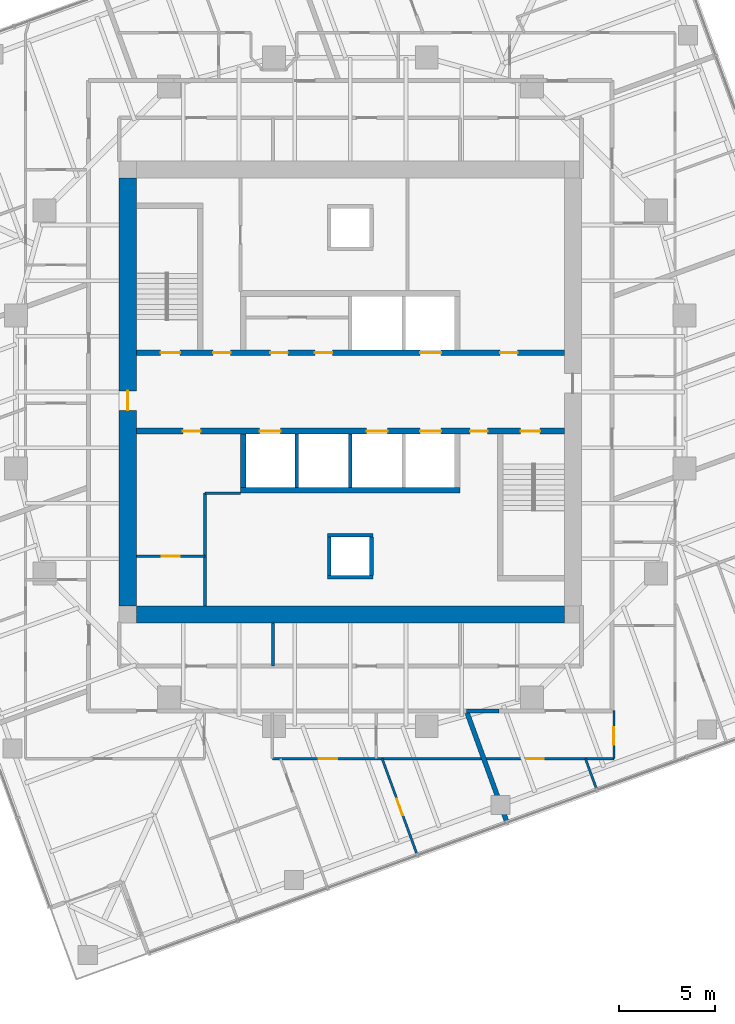
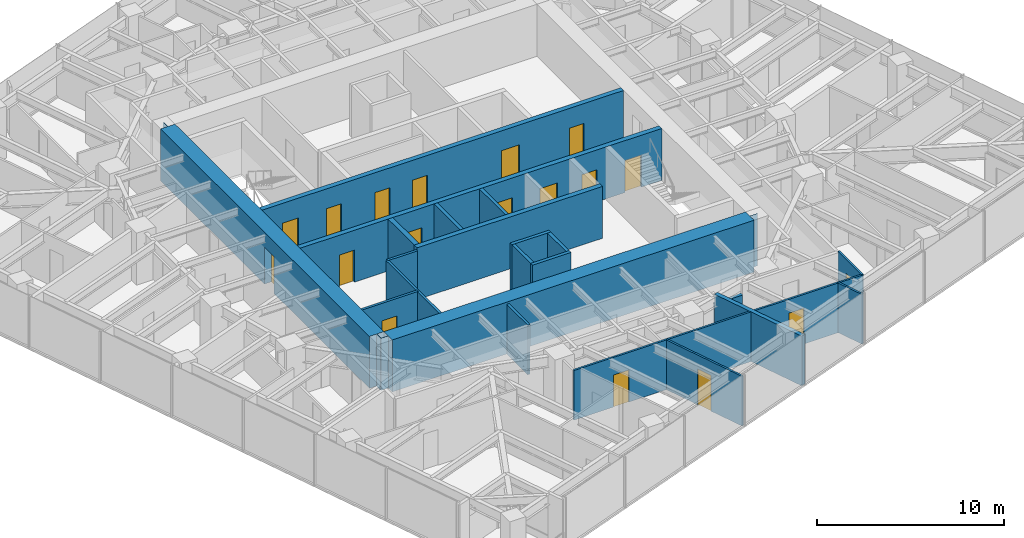
# One storey, part 8 of 13: 22 walls, 18 doors, 18 openings.
"""IFC4 building model written with IfcOpenShell, lengths in metres."""

import ifcopenshell
import ifcopenshell.guid

model = None  # the IFC model being written
_history = None  # IfcOwnerHistory: only IFC2X3 demands one
_inside = {}  # id of a spatial element -> (the spatial element, [elements in it])
_under = {}  # id of a project, library or spatial element -> (it, [spatial elements below it])
_declared = {}  # id of a project -> (the project, [libraries it declares])
_typed = {}  # id of a type object -> (the type object, [elements of that type])
_made_of = {}  # id of a material, layer set ... -> (it, [elements and type objects made of it])


def new_model(schema):
    """Start an empty IFC model of exactly this schema.

    Asked for "IFC4X3", IfcOpenShell would pick the latest addendum, in which some entities
    have other attributes; the version numbers below select the first issue.
    IFC2X3 requires an IfcOwnerHistory on every rooted entity: one is made here for all.
    """
    global model, _history
    if schema == "IFC4X3":
        model = ifcopenshell.file(schema_version=(4, 3, 0, 0))
    else:
        model = ifcopenshell.file(schema=schema)
    _inside.clear()
    _under.clear()
    _declared.clear()
    _typed.clear()
    _made_of.clear()
    _history = None
    if model.schema == "IFC2X3":
        org = make("IfcOrganization", Name="unknown")
        user = make(
            "IfcPersonAndOrganization",
            ThePerson=make("IfcPerson", FamilyName="unknown"),
            TheOrganization=org,
        )
        app = make(
            "IfcApplication",
            ApplicationDeveloper=org,
            Version="unknown",
            ApplicationFullName="unknown",
            ApplicationIdentifier="unknown",
        )
        _history = make(
            "IfcOwnerHistory",
            OwningUser=user,
            OwningApplication=app,
            ChangeAction="ADDED",
            CreationDate=0,
        )
    return model


def make(cls, **values):
    """One entity of the class cls with the attributes given. An attribute that is None is left unset."""
    return model.create_entity(
        cls, **{name: value for name, value in values.items() if value is not None}
    )


def rooted(cls, **values):
    """An entity with a GlobalId (a new one), such as an element, a storey or a relation."""
    return make(cls, GlobalId=ifcopenshell.guid.new(), OwnerHistory=_history, **values)


def si_unit(unit_type, name, prefix=None):
    """IfcSIUnit, for example si_unit("LENGTHUNIT", "METRE", prefix="MILLI")."""
    return make("IfcSIUnit", UnitType=unit_type, Prefix=prefix, Name=name)


def assignment(units):
    """IfcUnitAssignment: the units of a project."""
    return None if units is None else make("IfcUnitAssignment", Units=units)


def point(xyz):
    """IfcCartesianPoint."""
    return None if xyz is None else make("IfcCartesianPoint", Coordinates=xyz)


def direction(xyz):
    """IfcDirection."""
    return None if xyz is None else make("IfcDirection", DirectionRatios=xyz)


def frame(location, z_axis=None, x_axis=None):
    """IfcAxis2Placement3D, a coordinate frame: its origin and axes. An axis left out is left unset."""
    return make(
        "IfcAxis2Placement3D",
        Location=point(location),
        Axis=direction(z_axis),
        RefDirection=direction(x_axis),
    )


def frame_2d(location, x_axis=None):
    """IfcAxis2Placement2D, a coordinate frame in the plane: its origin and x axis."""
    return make(
        "IfcAxis2Placement2D", Location=point(location), RefDirection=direction(x_axis)
    )


def origin():
    """The frame at (0, 0, 0) with its axes left unset."""
    return frame((0.0, 0.0, 0.0))


def place(relative_to, where):
    """IfcLocalPlacement: puts the frame where relative to a parent placement (None: the world)."""
    return make(
        "IfcLocalPlacement", PlacementRelTo=relative_to, RelativePlacement=where
    )


def context(
    kind, dimensions, precision=None, world=None, true_north=None, identifier=None
):
    """IfcGeometricRepresentationContext, for example the 3D "Model" context."""
    return make(
        "IfcGeometricRepresentationContext",
        ContextIdentifier=identifier,
        ContextType=kind,
        CoordinateSpaceDimension=dimensions,
        Precision=precision,
        WorldCoordinateSystem=world,
        TrueNorth=true_north,
    )


def subcontext(parent, identifier, kind, view, scale=None):
    """IfcGeometricRepresentationSubContext, for example "Body" below "Model"."""
    return make(
        "IfcGeometricRepresentationSubContext",
        ContextIdentifier=identifier,
        ContextType=kind,
        ParentContext=parent,
        TargetScale=scale,
        TargetView=view,
    )


def project(units=None, contexts=None):
    """IfcProject with its units and contexts."""
    return rooted(
        "IfcProject",
        Name="project",
        RepresentationContexts=contexts,
        UnitsInContext=assignment(units),
    )


def spatial(cls, under=None, at=None, **own):
    """A site, building, storey or space (cls), placed at a placement, below another one or the project."""
    s = rooted(cls, ObjectPlacement=at, **own)
    if under is not None:
        _under.setdefault(under.id(), (under, []))[1].append(s)
    return s


def polyline(points):
    """IfcPolyline through the points."""
    return make("IfcPolyline", Points=[point(p) for p in points])


def profile(cls, at=None, kind="AREA", **sizes):
    """A parametric profile (cls). Its sizes go by their IFC names, for example OverallWidth=200.0."""
    return make(cls, ProfileType=kind, Position=at, **sizes)


def rectangle(**sizes):
    """IfcRectangleProfileDef."""
    return profile("IfcRectangleProfileDef", **sizes)


def outline(outer, holes=None, kind="AREA"):
    """IfcArbitraryClosedProfileDef: a profile drawn as a closed curve; with holes, ...WithVoids."""
    if holes is None:
        return make("IfcArbitraryClosedProfileDef", ProfileType=kind, OuterCurve=outer)
    return make(
        "IfcArbitraryProfileDefWithVoids",
        ProfileType=kind,
        OuterCurve=outer,
        InnerCurves=holes,
    )


def extrude(swept, where, along, depth):
    """IfcExtrudedAreaSolid: the profile swept, set in the frame where, extruded along a direction by depth."""
    return make(
        "IfcExtrudedAreaSolid",
        SweptArea=swept,
        Position=where,
        ExtrudedDirection=direction(along),
        Depth=depth,
    )


def shape(context_of_items, identifier, shape_type, items):
    """IfcShapeRepresentation: the items that make up one representation, for example the "Body"."""
    return make(
        "IfcShapeRepresentation",
        ContextOfItems=context_of_items,
        RepresentationIdentifier=identifier,
        RepresentationType=shape_type,
        Items=items,
    )


def material(Name=None, Category=None):
    """IfcMaterial."""
    return make("IfcMaterial", Name=Name, Category=Category)


def layer(
    of_material, thickness, ventilated=None, Name=None, Category=None, Priority=None
):
    """IfcMaterialLayer: one layer of a wall or slab, of a material (None: an air gap)."""
    return make(
        "IfcMaterialLayer",
        Material=of_material,
        LayerThickness=thickness,
        IsVentilated=ventilated,
        Name=Name,
        Category=Category,
        Priority=Priority,
    )


def layer_set(layers, Name=None):
    """IfcMaterialLayerSet."""
    return make("IfcMaterialLayerSet", MaterialLayers=layers, LayerSetName=Name)


def made_of(thing, what):
    """Note that an element or type object is made of a material, layer set ...; save() writes the relation."""
    if what is not None:
        _made_of.setdefault(what.id(), (what, []))[1].append(thing)
    return thing


def type_object(cls, material=None, **own):
    """A type object (cls), such as IfcWallType, which elements share."""
    return made_of(rooted(cls, **own), material)


def element(
    cls,
    number,
    at=None,
    inside=None,
    cuts=None,
    type_object=None,
    material=None,
    context=None,
    identifier="Body",
    shape_type=None,
    held_by="IfcProductDefinitionShape",
    body=None,
    shapes=None,
    **own,
):
    """One element of the class cls, such as IfcWall. Its Tag is "e" and its number.

    at: its placement. inside: the storey or other place that contains it. cuts: it is an
    opening in that element (IfcRelVoidsElement). A single representation is given by context,
    identifier, shape_type and body (its items); several are given by shapes. held_by: the class
    of the entity that holds the representations. save() writes the other relations.
    """
    e = rooted(cls, Tag="e%d" % number, ObjectPlacement=at, **own)
    if body is not None:
        shapes = [shape(context, identifier, shape_type, body)]
    if shapes is not None:
        e.Representation = make(held_by, Representations=shapes)
    if inside is not None:
        _inside.setdefault(inside.id(), (inside, []))[1].append(e)
    if cuts is not None:
        rooted(
            "IfcRelVoidsElement", RelatingBuildingElement=cuts, RelatedOpeningElement=e
        )
    if type_object is not None:
        _typed.setdefault(type_object.id(), (type_object, []))[1].append(e)
    return made_of(e, material)


def fill(opening, filler):
    """IfcRelFillsElement: the door or window that sits in an opening."""
    return rooted(
        "IfcRelFillsElement",
        RelatingOpeningElement=opening,
        RelatedBuildingElement=filler,
    )


def aggregate(whole, parts):
    """IfcRelAggregates: a whole, such as a stair, and the parts it consists of."""
    return rooted("IfcRelAggregates", RelatingObject=whole, RelatedObjects=parts)


def save(model, path):
    """Write the relations noted so far, then the file.

    IfcRelAggregates (storeys below a building ...), IfcRelContainedInSpatialStructure (elements
    in a storey), IfcRelDefinesByType, IfcRelAssociatesMaterial and IfcRelDeclares: one each for
    every whole, place, type object, material and project.
    """
    for whole, parts in _under.values():
        aggregate(whole, parts)
    for where, things in _inside.values():
        rooted(
            "IfcRelContainedInSpatialStructure",
            RelatedElements=things,
            RelatingStructure=where,
        )
    for kind, things in _typed.values():
        rooted("IfcRelDefinesByType", RelatedObjects=things, RelatingType=kind)
    for what, things in _made_of.values():
        rooted("IfcRelAssociatesMaterial", RelatedObjects=things, RelatingMaterial=what)
    for by, libraries in _declared.values():
        rooted("IfcRelDeclares", RelatingContext=by, RelatedDefinitions=libraries)
    model.write(path)


model = new_model("IFC4")

# Units and contexts
model_context = context("Model", 3, precision=1e-05, world=origin(), true_north=direction((0.0, 1.0)))
body_context = subcontext(model_context, "Body", "Model", "MODEL_VIEW")
ifc_project = project(units=[si_unit("LENGTHUNIT", "METRE"), si_unit("AREAUNIT", "SQUARE_METRE"), si_unit("VOLUMEUNIT", "CUBIC_METRE"), si_unit("PLANEANGLEUNIT", "RADIAN"), si_unit("MASSUNIT", "GRAM", prefix="KILO")], contexts=[model_context])

# Site, building, storey
site_placement = place(None, origin())
site = spatial("IfcSite", under=ifc_project, at=site_placement, CompositionType="ELEMENT")
building_placement = place(site_placement, origin())
building = spatial("IfcBuilding", under=site, at=building_placement, Name="Torsade Residences", CompositionType="ELEMENT")
storey_placement = place(building_placement, frame((0.0, 0.0, 150.60009765625)))
storey = spatial("IfcBuildingStorey", under=building, at=storey_placement, Name="L41", CompositionType="ELEMENT", Elevation=150.60009765625)

# Wall, openings, doors
ifc_material_1 = material(Name="Concrete 80 MPa", Category="concrete")
ifc_layer_1 = layer(ifc_material_1, 0.300048828125)
ifc_layer_set_1 = layer_set([ifc_layer_1], Name="Concrete 80 MPa")
wall_type_1 = type_object("IfcWallType", Name="CORE INTERNAL WALL 300", PredefinedType="SHEAR", material=ifc_layer_set_1)
wall_1_placement = place(storey_placement, frame((28.800048828125, 32.050048828125, 0.0), z_axis=(0.0, 0.0, 1.0), x_axis=(1.0, 0.0, 0.0)))
wall_1 = element("IfcWall", 1, at=wall_1_placement, inside=storey, type_object=wall_type_1, Name="Core wall LN L41", PredefinedType="SHEAR", context=body_context, shape_type="SweptSolid", body=[
    extrude(rectangle(XDim=22.39990234375, YDim=0.300048828125, at=frame_2d((11.199951171875, 0.0))), origin(), (0.0, 0.0, 1.0), 3.39990234375),
])
opening_1_placement = place(wall_1_placement, frame((19.0400390625, 0.0, 0.0)))
opening_1 = element("IfcOpeningElement", 2, at=opening_1_placement, cuts=wall_1, Name="Opening D06", PredefinedType="OPENING", context=body_context, shape_type="SweptSolid", body=[
    extrude(rectangle(XDim=0.919921875, YDim=2.10009765625, at=frame_2d((0.4599609375, 1.050048828125))), frame((0.0, 0.159912109375, 0.0), z_axis=(0.0, -1.0, 0.0), x_axis=(1.0, 0.0, 0.0)), (0.0, 0.0, 1.0), 0.320068359375),
])
opening_2_placement = place(wall_1_placement, frame((1.264892578125, 0.0, 0.0)))
opening_2 = element("IfcOpeningElement", 3, at=opening_2_placement, cuts=wall_1, Name="Opening D03", PredefinedType="OPENING", context=body_context, shape_type="SweptSolid", body=[
    extrude(rectangle(XDim=1.02001953125, YDim=2.10009765625, at=frame_2d((0.510009765625, 1.050048828125))), frame((0.0, 0.159912109375, 0.0), z_axis=(0.0, -1.0, 0.0), x_axis=(1.0, 0.0, 0.0)), (0.0, 0.0, 1.0), 0.320068359375),
])
opening_3_placement = place(wall_1_placement, frame((4.014892578125, 0.0, 0.0)))
opening_3 = element("IfcOpeningElement", 4, at=opening_3_placement, cuts=wall_1, Name="Opening D06", PredefinedType="OPENING", context=body_context, shape_type="SweptSolid", body=[
    extrude(rectangle(XDim=0.919921875, YDim=2.10009765625, at=frame_2d((0.4599609375, 1.050048828125))), frame((0.0, 0.159912109375, 0.0), z_axis=(0.0, -1.0, 0.0), x_axis=(1.0, 0.0, 0.0)), (0.0, 0.0, 1.0), 0.320068359375),
])
opening_4_placement = place(wall_1_placement, frame((7.014892578125, 0.0, 0.0)))
opening_4 = element("IfcOpeningElement", 5, at=opening_4_placement, cuts=wall_1, Name="Opening D06", PredefinedType="OPENING", context=body_context, shape_type="SweptSolid", body=[
    extrude(rectangle(XDim=0.919921875, YDim=2.10009765625, at=frame_2d((0.4599609375, 1.050048828125))), frame((0.0, 0.159912109375, 0.0), z_axis=(0.0, -1.0, 0.0), x_axis=(1.0, 0.0, 0.0)), (0.0, 0.0, 1.0), 0.320068359375),
])
opening_5_placement = place(wall_1_placement, frame((9.340087890625, 0.0, 0.0)))
opening_5 = element("IfcOpeningElement", 6, at=opening_5_placement, cuts=wall_1, Name="Opening D06", PredefinedType="OPENING", context=body_context, shape_type="SweptSolid", body=[
    extrude(rectangle(XDim=0.919921875, YDim=2.10009765625, at=frame_2d((0.4599609375, 1.050048828125))), frame((0.0, 0.159912109375, 0.0), z_axis=(0.0, -1.0, 0.0), x_axis=(1.0, 0.0, 0.0)), (0.0, 0.0, 1.0), 0.320068359375),
])
opening_6_placement = place(wall_1_placement, frame((14.85009765625, 0.0, 0.0)))
opening_6 = element("IfcOpeningElement", 7, at=opening_6_placement, cuts=wall_1, Name="Opening LD", PredefinedType="OPENING", context=body_context, shape_type="SweptSolid", body=[
    extrude(rectangle(XDim=1.10009765625, YDim=2.10009765625, at=frame_2d((0.550048828125, 1.050048828125))), frame((0.0, 0.159912109375, 0.0), z_axis=(0.0, -1.0, 0.0), x_axis=(1.0, 0.0, 0.0)), (0.0, 0.0, 1.0), 0.320068359375),
])
ifc_material_2 = material(Name="Steel-framed fire door", Category="steel")
door_type_1 = type_object("IfcDoorType", Name="FIRE DOOR 1020", OperationType="NOTDEFINED", PredefinedType="DOOR", material=ifc_material_2)
door_1_placement = place(opening_2_placement, origin())
door_1 = element("IfcDoor", 8, at=door_1_placement, inside=storey, type_object=door_type_1, Name="Exit door to fire-isolated stair ST1 L41", OperationType="SINGLE_SWING_RIGHT", OverallHeight=2.10009765625, OverallWidth=1.02001953125, PredefinedType="DOOR", context=body_context, shape_type="SweptSolid", body=[
    extrude(rectangle(XDim=1.02001953125, YDim=2.10009765625, at=frame_2d((0.510009765625, 1.050048828125))), frame((0.0, 0.02490234375, 0.0), z_axis=(0.0, -1.0, 0.0), x_axis=(1.0, 0.0, 0.0)), (0.0, 0.0, 1.0), 0.050048828125),
])
fill(opening_2, door_1)
ifc_material_3 = material(Name="Steel-framed fire door", Category="steel")
door_type_2 = type_object("IfcDoorType", Name="FIRE DOOR 920", OperationType="NOTDEFINED", PredefinedType="DOOR", material=ifc_material_3)
door_2_placement = place(opening_1_placement, origin())
door_2 = element("IfcDoor", 9, at=door_2_placement, inside=storey, type_object=door_type_2, Name="Door Lift lobby to Refuse room", OperationType="SINGLE_SWING_LEFT", OverallHeight=2.10009765625, OverallWidth=0.919921875, PredefinedType="DOOR", context=body_context, shape_type="SweptSolid", body=[
    extrude(rectangle(XDim=0.919921875, YDim=2.10009765625, at=frame_2d((0.4599609375, 1.050048828125))), frame((0.0, 0.02490234375, 0.0), z_axis=(0.0, -1.0, 0.0), x_axis=(1.0, 0.0, 0.0)), (0.0, 0.0, 1.0), 0.050048828125),
])
fill(opening_1, door_2)
door_3_placement = place(opening_3_placement, origin())
door_3 = element("IfcDoor", 10, at=door_3_placement, inside=storey, type_object=door_type_2, Name="Door Lift lobby to Meter store", OperationType="SINGLE_SWING_LEFT", OverallHeight=2.10009765625, OverallWidth=0.919921875, PredefinedType="DOOR", context=body_context, shape_type="SweptSolid", body=[
    extrude(rectangle(XDim=0.919921875, YDim=2.10009765625, at=frame_2d((0.4599609375, 1.050048828125))), frame((0.0, 0.02490234375, 0.0), z_axis=(0.0, -1.0, 0.0), x_axis=(1.0, 0.0, 0.0)), (0.0, 0.0, 1.0), 0.050048828125),
])
fill(opening_3, door_3)
door_4_placement = place(opening_4_placement, origin())
door_4 = element("IfcDoor", 11, at=door_4_placement, inside=storey, type_object=door_type_2, Name="Door Lift lobby to Linen store L41A", OperationType="SINGLE_SWING_RIGHT", OverallHeight=2.10009765625, OverallWidth=0.919921875, PredefinedType="DOOR", context=body_context, shape_type="SweptSolid", body=[
    extrude(rectangle(XDim=0.919921875, YDim=2.10009765625, at=frame_2d((0.4599609375, 1.050048828125))), frame((0.0, 0.02490234375, 0.0), z_axis=(0.0, -1.0, 0.0), x_axis=(1.0, 0.0, 0.0)), (0.0, 0.0, 1.0), 0.050048828125),
])
fill(opening_4, door_4)
door_5_placement = place(opening_5_placement, origin())
door_5 = element("IfcDoor", 12, at=door_5_placement, inside=storey, type_object=door_type_2, Name="Door Lift lobby to Linen store L41A", OperationType="SINGLE_SWING_RIGHT", OverallHeight=2.10009765625, OverallWidth=0.919921875, PredefinedType="DOOR", context=body_context, shape_type="SweptSolid", body=[
    extrude(rectangle(XDim=0.919921875, YDim=2.10009765625, at=frame_2d((0.4599609375, 1.050048828125))), frame((0.0, 0.02490234375, 0.0), z_axis=(0.0, -1.0, 0.0), x_axis=(1.0, 0.0, 0.0)), (0.0, 0.0, 1.0), 0.050048828125),
])
fill(opening_5, door_5)
ifc_material_4 = material(Name="Stainless steel lift landing door", Category="steel")
door_type_3 = type_object("IfcDoorType", Name="LIFT LANDING DOOR 1100", OperationType="SLIDING_TO_LEFT", PredefinedType="DOOR", material=ifc_material_4)
door_6_placement = place(opening_6_placement, origin())
door_6 = element("IfcDoor", 13, at=door_6_placement, inside=storey, type_object=door_type_3, Name="Lift FL1 landing door L41", OperationType="SLIDING_TO_LEFT", OverallHeight=2.10009765625, OverallWidth=1.10009765625, PredefinedType="DOOR", context=body_context, shape_type="SweptSolid", body=[
    extrude(rectangle(XDim=1.10009765625, YDim=2.10009765625, at=frame_2d((0.550048828125, 1.050048828125))), frame((0.0, 0.02490234375, 0.0), z_axis=(0.0, -1.0, 0.0), x_axis=(1.0, 0.0, 0.0)), (0.0, 0.0, 1.0), 0.050048828125),
])
fill(opening_6, door_6)

wall_2_placement = place(storey_placement, frame((51.199951171875, 27.949951171875, 0.0), z_axis=(0.0, 0.0, 1.0), x_axis=(-1.0, 0.0, 0.0)))
wall_2 = element("IfcWall", 14, at=wall_2_placement, inside=storey, type_object=wall_type_1, Name="Core wall LS L41", PredefinedType="SHEAR", context=body_context, shape_type="SweptSolid", body=[
    extrude(rectangle(XDim=22.39990234375, YDim=0.300048828125, at=frame_2d((11.199951171875, 0.0))), origin(), (0.0, 0.0, 1.0), 3.39990234375),
])
opening_7_placement = place(wall_2_placement, frame((19.0400390625, 0.0, 0.0)))
opening_7 = element("IfcOpeningElement", 15, at=opening_7_placement, cuts=wall_2, Name="Opening D06", PredefinedType="OPENING", context=body_context, shape_type="SweptSolid", body=[
    extrude(rectangle(XDim=0.919921875, YDim=2.10009765625, at=frame_2d((0.4599609375, 1.050048828125))), frame((0.0, 0.159912109375, 0.0), z_axis=(0.0, -1.0, 0.0), x_axis=(1.0, 0.0, 0.0)), (0.0, 0.0, 1.0), 0.320068359375),
])
opening_8_placement = place(wall_2_placement, frame((1.264892578125, 0.0, 0.0)))
opening_8 = element("IfcOpeningElement", 16, at=opening_8_placement, cuts=wall_2, Name="Opening D03", PredefinedType="OPENING", context=body_context, shape_type="SweptSolid", body=[
    extrude(rectangle(XDim=1.02001953125, YDim=2.10009765625, at=frame_2d((0.510009765625, 1.050048828125))), frame((0.0, 0.159912109375, 0.0), z_axis=(0.0, -1.0, 0.0), x_axis=(1.0, 0.0, 0.0)), (0.0, 0.0, 1.0), 0.320068359375),
])
opening_9_placement = place(wall_2_placement, frame((4.014892578125, 0.0, 0.0)))
opening_9 = element("IfcOpeningElement", 17, at=opening_9_placement, cuts=wall_2, Name="Opening D06", PredefinedType="OPENING", context=body_context, shape_type="SweptSolid", body=[
    extrude(rectangle(XDim=0.919921875, YDim=2.10009765625, at=frame_2d((0.4599609375, 1.050048828125))), frame((0.0, 0.159912109375, 0.0), z_axis=(0.0, -1.0, 0.0), x_axis=(1.0, 0.0, 0.0)), (0.0, 0.0, 1.0), 0.320068359375),
])
opening_10_placement = place(wall_2_placement, frame((6.449951171875, 0.0, 0.0)))
opening_10 = element("IfcOpeningElement", 18, at=opening_10_placement, cuts=wall_2, Name="Opening LD", PredefinedType="OPENING", context=body_context, shape_type="SweptSolid", body=[
    extrude(rectangle(XDim=1.10009765625, YDim=2.10009765625, at=frame_2d((0.550048828125, 1.050048828125))), frame((0.0, 0.159912109375, 0.0), z_axis=(0.0, -1.0, 0.0), x_axis=(1.0, 0.0, 0.0)), (0.0, 0.0, 1.0), 0.320068359375),
])
opening_11_placement = place(wall_2_placement, frame((9.25, 0.0, 0.0)))
opening_11 = element("IfcOpeningElement", 19, at=opening_11_placement, cuts=wall_2, Name="Opening LD", PredefinedType="OPENING", context=body_context, shape_type="SweptSolid", body=[
    extrude(rectangle(XDim=1.10009765625, YDim=2.10009765625, at=frame_2d((0.550048828125, 1.050048828125))), frame((0.0, 0.159912109375, 0.0), z_axis=(0.0, -1.0, 0.0), x_axis=(1.0, 0.0, 0.0)), (0.0, 0.0, 1.0), 0.320068359375),
])
opening_12_placement = place(wall_2_placement, frame((14.85009765625, 0.0, 0.0)))
opening_12 = element("IfcOpeningElement", 20, at=opening_12_placement, cuts=wall_2, Name="Opening LD", PredefinedType="OPENING", context=body_context, shape_type="SweptSolid", body=[
    extrude(rectangle(XDim=1.10009765625, YDim=2.10009765625, at=frame_2d((0.550048828125, 1.050048828125))), frame((0.0, 0.159912109375, 0.0), z_axis=(0.0, -1.0, 0.0), x_axis=(1.0, 0.0, 0.0)), (0.0, 0.0, 1.0), 0.320068359375),
])
door_7_placement = place(opening_8_placement, origin())
door_7 = element("IfcDoor", 21, at=door_7_placement, inside=storey, type_object=door_type_1, Name="Exit door to fire-isolated stair ST2 L41", OperationType="SINGLE_SWING_RIGHT", OverallHeight=2.10009765625, OverallWidth=1.02001953125, PredefinedType="DOOR", context=body_context, shape_type="SweptSolid", body=[
    extrude(rectangle(XDim=1.02001953125, YDim=2.10009765625, at=frame_2d((0.510009765625, 1.050048828125))), frame((0.0, 0.02490234375, 0.0), z_axis=(0.0, -1.0, 0.0), x_axis=(1.0, 0.0, 0.0)), (0.0, 0.0, 1.0), 0.050048828125),
])
fill(opening_8, door_7)
door_8_placement = place(opening_7_placement, origin())
door_8 = element("IfcDoor", 22, at=door_8_placement, inside=storey, type_object=door_type_2, Name="Door Lift lobby to Cleaner store", OperationType="SINGLE_SWING_LEFT", OverallHeight=2.10009765625, OverallWidth=0.919921875, PredefinedType="DOOR", context=body_context, shape_type="SweptSolid", body=[
    extrude(rectangle(XDim=0.919921875, YDim=2.10009765625, at=frame_2d((0.4599609375, 1.050048828125))), frame((0.0, 0.02490234375, 0.0), z_axis=(0.0, -1.0, 0.0), x_axis=(1.0, 0.0, 0.0)), (0.0, 0.0, 1.0), 0.050048828125),
])
fill(opening_7, door_8)
door_9_placement = place(opening_9_placement, origin())
door_9 = element("IfcDoor", 23, at=door_9_placement, inside=storey, type_object=door_type_2, Name="Door Lift lobby to Communications riser room", OperationType="SINGLE_SWING_RIGHT", OverallHeight=2.10009765625, OverallWidth=0.919921875, PredefinedType="DOOR", context=body_context, shape_type="SweptSolid", body=[
    extrude(rectangle(XDim=0.919921875, YDim=2.10009765625, at=frame_2d((0.4599609375, 1.050048828125))), frame((0.0, 0.02490234375, 0.0), z_axis=(0.0, -1.0, 0.0), x_axis=(1.0, 0.0, 0.0)), (0.0, 0.0, 1.0), 0.050048828125),
])
fill(opening_9, door_9)
door_10_placement = place(opening_10_placement, origin())
door_10 = element("IfcDoor", 24, at=door_10_placement, inside=storey, type_object=door_type_3, Name="Lift LB1 landing door L41", OperationType="SLIDING_TO_LEFT", OverallHeight=2.10009765625, OverallWidth=1.10009765625, PredefinedType="DOOR", context=body_context, shape_type="SweptSolid", body=[
    extrude(rectangle(XDim=1.10009765625, YDim=2.10009765625, at=frame_2d((0.550048828125, 1.050048828125))), frame((0.0, 0.02490234375, 0.0), z_axis=(0.0, -1.0, 0.0), x_axis=(1.0, 0.0, 0.0)), (0.0, 0.0, 1.0), 0.050048828125),
])
fill(opening_10, door_10)
door_11_placement = place(opening_11_placement, origin())
door_11 = element("IfcDoor", 25, at=door_11_placement, inside=storey, type_object=door_type_3, Name="Lift LB2 landing door L41", OperationType="SLIDING_TO_LEFT", OverallHeight=2.10009765625, OverallWidth=1.10009765625, PredefinedType="DOOR", context=body_context, shape_type="SweptSolid", body=[
    extrude(rectangle(XDim=1.10009765625, YDim=2.10009765625, at=frame_2d((0.550048828125, 1.050048828125))), frame((0.0, 0.02490234375, 0.0), z_axis=(0.0, -1.0, 0.0), x_axis=(1.0, 0.0, 0.0)), (0.0, 0.0, 1.0), 0.050048828125),
])
fill(opening_11, door_11)
door_12_placement = place(opening_12_placement, origin())
door_12 = element("IfcDoor", 26, at=door_12_placement, inside=storey, type_object=door_type_3, Name="Lift FL2 landing door L41", OperationType="SLIDING_TO_LEFT", OverallHeight=2.10009765625, OverallWidth=1.10009765625, PredefinedType="DOOR", context=body_context, shape_type="SweptSolid", body=[
    extrude(rectangle(XDim=1.10009765625, YDim=2.10009765625, at=frame_2d((0.550048828125, 1.050048828125))), frame((0.0, 0.02490234375, 0.0), z_axis=(0.0, -1.0, 0.0), x_axis=(1.0, 0.0, 0.0)), (0.0, 0.0, 1.0), 0.050048828125),
])
fill(opening_12, door_12)

# Walls
wall_3_placement = place(storey_placement, frame((45.75, 24.85009765625, 0.0), z_axis=(0.0, 0.0, 1.0), x_axis=(-1.0, 0.0, 0.0)))
element("IfcWall", 27, at=wall_3_placement, inside=storey, type_object=wall_type_1, Name="Core wall BS L41", PredefinedType="SHEAR", context=body_context, shape_type="SweptSolid", body=[
    extrude(rectangle(XDim=11.5, YDim=0.300048828125, at=frame_2d((5.75, 0.0))), origin(), (0.0, 0.0, 1.0), 3.39990234375),
])
wall_4_placement = place(storey_placement, frame((34.39990234375, 27.800048828125, 0.0), z_axis=(0.0, 0.0, 1.0), x_axis=(0.0, -1.0, 0.0)))
element("IfcWall", 28, at=wall_4_placement, inside=storey, type_object=wall_type_1, Name="Core wall DS4 L41", PredefinedType="SHEAR", context=body_context, shape_type="SweptSolid", body=[
    extrude(rectangle(XDim=2.800048828125, YDim=0.300048828125, at=frame_2d((1.39990234375, 0.0))), origin(), (0.0, 0.0, 1.0), 3.39990234375),
])
ifc_material_5 = material(Name="Concrete 80 MPa", Category="concrete")
ifc_layer_2 = layer(ifc_material_5, 0.89990234375)
ifc_layer_set_2 = layer_set([ifc_layer_2], Name="Concrete 80 MPa")
wall_type_2 = type_object("IfcWallType", Name="CORE WALL 900", PredefinedType="SHEAR", material=ifc_layer_set_2)
wall_5_placement = place(storey_placement, frame((51.199951171875, 18.35009765625, 0.0), z_axis=(0.0, 0.0, 1.0), x_axis=(-1.0, 0.0, 0.0)))
element("IfcWall", 29, at=wall_5_placement, inside=storey, type_object=wall_type_2, Name="Core wall S L41", PredefinedType="SHEAR", context=body_context, shape_type="SweptSolid", body=[
    extrude(outline(polyline([(0.0, -0.449951171875), (22.39990234375, -0.449951171875), (22.39990234375, -0.02490234375), (22.849853515625, -0.02490234375), (22.849853515625, 0.02490234375), (22.39990234375, 0.02490234375), (22.39990234375, 0.449951171875), (0.0, 0.449951171875), (0.0, 0.02490234375), (-0.449951171875, 0.02490234375), (-0.449951171875, -0.02490234375), (0.0, -0.02490234375), (0.0, -0.449951171875)])), origin(), (0.0, 0.0, 1.0), 3.39990234375),
])

# Wall, opening, door
wall_6_placement = place(storey_placement, frame((28.35009765625, 41.199951171875, 0.0), z_axis=(0.0, 0.0, 1.0), x_axis=(0.0, -1.0, 0.0)))
wall_6 = element("IfcWall", 30, at=wall_6_placement, inside=storey, type_object=wall_type_2, Name="Core wall W L41", PredefinedType="SHEAR", context=body_context, shape_type="SweptSolid", body=[
    extrude(outline(polyline([(0.0, -0.449951171875), (22.39990234375, -0.449951171875), (22.39990234375, -0.02490234375), (22.849853515625, -0.02490234375), (22.849853515625, 0.02490234375), (22.39990234375, 0.02490234375), (22.39990234375, 0.449951171875), (0.0, 0.449951171875), (0.0, 0.02490234375), (-0.449951171875, 0.02490234375), (-0.449951171875, -0.02490234375), (0.0, -0.02490234375), (0.0, -0.449951171875)])), origin(), (0.0, 0.0, 1.0), 3.39990234375),
])
opening_13_placement = place(wall_6_placement, frame((11.139892578125, 0.0, 0.0)))
opening_13 = element("IfcOpeningElement", 31, at=opening_13_placement, cuts=wall_6, Name="Opening D04", PredefinedType="OPENING", context=body_context, shape_type="SweptSolid", body=[
    extrude(rectangle(XDim=1.02001953125, YDim=2.39990234375, at=frame_2d((0.510009765625, 1.199951171875))), frame((0.0, 0.4599609375, 0.0), z_axis=(0.0, -1.0, 0.0), x_axis=(1.0, 0.0, 0.0)), (0.0, 0.0, 1.0), 0.919921875),
])
ifc_material_6 = material(Name="Steel-framed fire door", Category="steel")
door_type_4 = type_object("IfcDoorType", Name="LOBBY SMOKE DOOR 1020x2400", OperationType="NOTDEFINED", PredefinedType="DOOR", material=ifc_material_6)
door_13_placement = place(opening_13_placement, origin())
door_13 = element("IfcDoor", 32, at=door_13_placement, inside=storey, type_object=door_type_4, Name="Lift lobby door W L41", OperationType="SINGLE_SWING_RIGHT", OverallHeight=2.39990234375, OverallWidth=1.02001953125, PredefinedType="DOOR", context=body_context, shape_type="SweptSolid", body=[
    extrude(rectangle(XDim=1.02001953125, YDim=2.39990234375, at=frame_2d((0.510009765625, 1.199951171875))), frame((0.0, 0.02490234375, 0.0), z_axis=(0.0, -1.0, 0.0), x_axis=(1.0, 0.0, 0.0)), (0.0, 0.0, 1.0), 0.050048828125),
])
fill(opening_13, door_13)

# Walls
ifc_material_7 = material(Name="Plasterboard on steel stud", Category="steel")
ifc_layer_3 = layer(ifc_material_7, 0.199951171875)
ifc_layer_set_3 = layer_set([ifc_layer_3], Name="Plasterboard on steel stud")
wall_type_3 = type_object("IfcWallType", Name="CORRIDOR WALL 200", PredefinedType="PARTITIONING", material=ifc_layer_set_3)
wall_7_placement = place(storey_placement, frame((46.091552734375, 13.300048828125, 0.0), z_axis=(0.0, 0.0, 1.0), x_axis=(1.0, 0.0, 0.0)))
element("IfcWall", 33, at=wall_7_placement, inside=storey, type_object=wall_type_3, Name="Corridor wall L41", PredefinedType="PARTITIONING", context=body_context, shape_type="SweptSolid", body=[
    extrude(rectangle(XDim=1.68359375, YDim=0.199951171875, at=frame_2d((0.841796875, 0.0))), origin(), (0.0, 0.0, 1.0), 2.5498046875),
])
ifc_material_8 = material(Name="Reinforced blockwork", Category="masonry")
ifc_layer_4 = layer(ifc_material_8, 0.199951171875)
ifc_layer_set_4 = layer_set([ifc_layer_4], Name="Reinforced blockwork")
wall_type_4 = type_object("IfcWallType", Name="LIFT SHAFT DIVIDING WALL 200", PredefinedType="SOLIDWALL", material=ifc_layer_set_4)
for number, where, z_axis, x_axis, name in (
    (34, (40.0, 27.800048828125, 0.0), (0.0, 0.0, 1.0), (0.0, -1.0, 0.0), "Core wall DS2 L41"),
    (35, (37.199951171875, 27.800048828125, 0.0), (0.0, 0.0, 1.0), (0.0, -1.0, 0.0), "Core wall DS3 L41"),
):
    element("IfcWall", number, at=place(storey_placement, frame(where, z_axis=z_axis, x_axis=x_axis)), inside=storey, type_object=wall_type_4, Name=name, PredefinedType="SOLIDWALL", context=body_context, shape_type="SweptSolid", body=[
        extrude(rectangle(XDim=2.800048828125, YDim=0.199951171875, at=frame_2d((1.39990234375, 0.0))), origin(), (0.0, 0.0, 1.0), 3.39990234375),
    ])

# Wall, openings, doors
ifc_material_9 = material(Name="Plasterboard on steel stud", Category="steel")
ifc_layer_5 = layer(ifc_material_9, 0.1201171875)
ifc_layer_set_5 = layer_set([ifc_layer_5], Name="Plasterboard on steel stud")
wall_type_5 = type_object("IfcWallType", Name="PARTITION 120", PredefinedType="PARTITIONING", material=ifc_layer_set_5)
wall_8_placement = place(storey_placement, frame((53.800048828125, 10.800048828125, 0.0), z_axis=(0.0, 0.0, 1.0), x_axis=(-1.0, 0.0, 0.0)))
wall_8 = element("IfcWall", 36, at=wall_8_placement, inside=storey, type_object=wall_type_5, Name="Partition L41", PredefinedType="PARTITIONING", context=body_context, shape_type="SweptSolid", body=[
    extrude(rectangle(XDim=17.884033203125, YDim=0.1201171875, at=frame_2d((8.94189453125, 0.0))), origin(), (0.0, 0.0, 1.0), 3.25),
])
opening_14_placement = place(wall_8_placement, frame((3.664794921875, 0.0, 0.0)))
opening_14 = element("IfcOpeningElement", 37, at=opening_14_placement, cuts=wall_8, Name="Opening D02", PredefinedType="OPENING", context=body_context, shape_type="SweptSolid", body=[
    extrude(rectangle(XDim=0.919921875, YDim=2.340087890625, at=frame_2d((0.4599609375, 1.169921875))), frame((0.0, 0.070068359375, 0.0), z_axis=(0.0, -1.0, 0.0), x_axis=(1.0, 0.0, 0.0)), (0.0, 0.0, 1.0), 0.14013671875),
])
opening_15_placement = place(wall_8_placement, frame((14.4970703125, 0.0, 0.0)))
opening_15 = element("IfcOpeningElement", 38, at=opening_15_placement, cuts=wall_8, Name="Opening D05", PredefinedType="OPENING", context=body_context, shape_type="SweptSolid", body=[
    extrude(rectangle(XDim=0.9599609375, YDim=2.10009765625, at=frame_2d((0.47998046875, 1.050048828125))), frame((0.0, 0.070068359375, 0.0), z_axis=(0.0, -1.0, 0.0), x_axis=(1.0, 0.0, 0.0)), (0.0, 0.0, 1.0), 0.14013671875),
])
ifc_material_10 = material(Name="Hollow-core timber door in a steel cavity frame", Category="steel")
door_type_5 = type_object("IfcDoorType", Name="BATHROOM CAVITY SLIDING DOOR 960", OperationType="SLIDING_TO_LEFT", PredefinedType="DOOR", material=ifc_material_10)
door_14_placement = place(opening_15_placement, origin())
door_14 = element("IfcDoor", 39, at=door_14_placement, inside=storey, type_object=door_type_5, Name="Door Bedroom 1 to Ensuite 2", OperationType="SLIDING_TO_LEFT", OverallHeight=2.10009765625, OverallWidth=0.9599609375, PredefinedType="DOOR", context=body_context, shape_type="SweptSolid", body=[
    extrude(rectangle(XDim=0.9599609375, YDim=2.10009765625, at=frame_2d((0.47998046875, 1.050048828125))), frame((0.0, 0.02490234375, 0.0), z_axis=(0.0, -1.0, 0.0), x_axis=(1.0, 0.0, 0.0)), (0.0, 0.0, 1.0), 0.050048828125),
])
fill(opening_15, door_14)
ifc_material_11 = material(Name="Hollow-core timber door", Category="wood")
door_type_6 = type_object("IfcDoorType", Name="INTERNAL DOOR 920x2340", OperationType="NOTDEFINED", PredefinedType="DOOR", material=ifc_material_11)
door_15_placement = place(opening_14_placement, origin())
door_15 = element("IfcDoor", 40, at=door_15_placement, inside=storey, type_object=door_type_6, Name="Door Kitchen and dining to Family room", OperationType="SINGLE_SWING_RIGHT", OverallHeight=2.340087890625, OverallWidth=0.919921875, PredefinedType="DOOR", context=body_context, shape_type="SweptSolid", body=[
    extrude(rectangle(XDim=0.919921875, YDim=2.340087890625, at=frame_2d((0.4599609375, 1.169921875))), frame((0.0, 0.02490234375, 0.0), z_axis=(0.0, -1.0, 0.0), x_axis=(1.0, 0.0, 0.0)), (0.0, 0.0, 1.0), 0.050048828125),
])
fill(opening_14, door_15)

# Wall, opening, door
wall_9_placement = place(storey_placement, frame((41.66748046875, 10.800048828125, 0.0), z_axis=(0.0, 0.0, 1.0), x_axis=(0.341995981916, -0.939701414468, 0.0)))
wall_9 = element("IfcWall", 41, at=wall_9_placement, inside=storey, type_object=wall_type_5, Name="Partition L41", PredefinedType="PARTITIONING", context=body_context, shape_type="SweptSolid", body=[
    extrude(rectangle(XDim=5.34765625, YDim=0.1201171875, at=frame_2d((2.673828125, 0.0))), origin(), (0.0, 0.0, 1.0), 3.25),
])
opening_16_placement = place(wall_9_placement, frame((2.23388671875, 0.0, 0.0)))
opening_16 = element("IfcOpeningElement", 42, at=opening_16_placement, cuts=wall_9, Name="Opening D02", PredefinedType="OPENING", context=body_context, shape_type="SweptSolid", body=[
    extrude(rectangle(XDim=0.919921875, YDim=2.340087890625, at=frame_2d((0.4599609375, 1.169921875))), frame((0.0, 0.070068359375, 0.0), z_axis=(0.0, -1.0, 0.0), x_axis=(1.0, 0.0, 0.0)), (0.0, 0.0, 1.0), 0.14013671875),
])
door_16_placement = place(opening_16_placement, origin())
door_16 = element("IfcDoor", 43, at=door_16_placement, inside=storey, type_object=door_type_6, Name="Door Bedroom 1 to Bedroom 2", OperationType="SINGLE_SWING_LEFT", OverallHeight=2.340087890625, OverallWidth=0.919921875, PredefinedType="DOOR", context=body_context, shape_type="SweptSolid", body=[
    extrude(rectangle(XDim=0.919921875, YDim=2.340087890625, at=frame_2d((0.4599609375, 1.169921875))), frame((0.0, 0.02490234375, 0.0), z_axis=(0.0, -1.0, 0.0), x_axis=(1.0, 0.0, 0.0)), (0.0, 0.0, 1.0), 0.050048828125),
])
fill(opening_16, door_16)

wall_10_placement = place(storey_placement, frame((53.800048828125, 13.320068359375, 0.0), z_axis=(0.0, 0.0, 1.0), x_axis=(0.0, -1.0, 0.0)))
wall_10 = element("IfcWall", 44, at=wall_10_placement, inside=storey, type_object=wall_type_5, Name="Partition L41", PredefinedType="PARTITIONING", context=body_context, shape_type="SweptSolid", body=[
    extrude(rectangle(XDim=2.52001953125, YDim=0.1201171875, at=frame_2d((1.260009765625, 0.0))), origin(), (0.0, 0.0, 1.0), 3.25),
])
opening_17_placement = place(wall_10_placement, frame((0.859619140625, 0.0, 0.0)))
opening_17 = element("IfcOpeningElement", 45, at=opening_17_placement, cuts=wall_10, Name="Opening D02", PredefinedType="OPENING", context=body_context, shape_type="SweptSolid", body=[
    extrude(rectangle(XDim=0.919921875, YDim=2.340087890625, at=frame_2d((0.4599609375, 1.169921875))), frame((0.0, 0.070068359375, 0.0), z_axis=(0.0, -1.0, 0.0), x_axis=(1.0, 0.0, 0.0)), (0.0, 0.0, 1.0), 0.14013671875),
])
door_17_placement = place(opening_17_placement, origin())
door_17 = element("IfcDoor", 46, at=door_17_placement, inside=storey, type_object=door_type_6, Name="Door Kitchen and dining to Scullery", OperationType="SINGLE_SWING_LEFT", OverallHeight=2.340087890625, OverallWidth=0.919921875, PredefinedType="DOOR", context=body_context, shape_type="SweptSolid", body=[
    extrude(rectangle(XDim=0.919921875, YDim=2.340087890625, at=frame_2d((0.4599609375, 1.169921875))), frame((0.0, 0.02490234375, 0.0), z_axis=(0.0, -1.0, 0.0), x_axis=(1.0, 0.0, 0.0)), (0.0, 0.0, 1.0), 0.050048828125),
])
fill(opening_17, door_17)

# Walls
wall_11_placement = place(storey_placement, frame((52.893310546875, 9.195068359375, 0.0), z_axis=(0.0, 0.0, 1.0), x_axis=(-0.342052919471, 0.939680690597, 0.0)))
element("IfcWall", 47, at=wall_11_placement, inside=storey, type_object=wall_type_5, Name="Partition L41", PredefinedType="PARTITIONING", context=body_context, shape_type="SweptSolid", body=[
    extrude(rectangle(XDim=1.7080078125, YDim=0.1201171875, at=frame_2d((0.85400390625, 0.0))), origin(), (0.0, 0.0, 1.0), 3.25),
])
ifc_material_12 = material(Name="Masonry-lined stud party wall", Category="masonry")
ifc_layer_6 = layer(ifc_material_12, 0.25)
ifc_layer_set_6 = layer_set([ifc_layer_6], Name="Masonry-lined stud party wall")
wall_type_6 = type_object("IfcWallType", Name="PARTY WALL 250", PredefinedType="PARTITIONING", material=ifc_layer_set_6)
wall_12_placement = place(storey_placement, frame((48.20849609375, 7.447265625, 0.0), z_axis=(0.0, 0.0, 1.0), x_axis=(-0.341999444481, 0.939700154291, 0.0)))
element("IfcWall", 48, at=wall_12_placement, inside=storey, type_object=wall_type_6, Name="Party wall L41", PredefinedType="PARTITIONING", context=body_context, shape_type="SweptSolid", body=[
    extrude(rectangle(XDim=6.116455078125, YDim=0.25, at=frame_2d((3.05810546875, 0.0))), origin(), (0.0, 0.0, 1.0), 3.25),
])
ifc_material_13 = material(Name="Reinforced blockwork", Category="masonry")
ifc_layer_7 = layer(ifc_material_13, 0.199951171875)
ifc_layer_set_7 = layer_set([ifc_layer_7], Name="Reinforced blockwork")
wall_type_7 = type_object("IfcWallType", Name="RISER SHAFT WALL 200", PredefinedType="SOLIDWALL", material=ifc_layer_set_7)
for number, where, z_axis, x_axis, name in (
    (49, (38.89990234375, 22.39990234375, 0.0), (0.0, 0.0, 1.0), (0.0, -1.0, 0.0), "Core wall RS2a L41"),
    (50, (41.10009765625, 22.39990234375, 0.0), (0.0, 0.0, 1.0), (0.0, -1.0, 0.0), "Core wall RS2b L41"),
):
    element("IfcWall", number, at=place(storey_placement, frame(where, z_axis=z_axis, x_axis=x_axis)), inside=storey, type_object=wall_type_7, Name=name, PredefinedType="SOLIDWALL", context=body_context, shape_type="SweptSolid", body=[
        extrude(rectangle(XDim=2.0, YDim=0.199951171875, at=frame_2d((1.0, 0.0))), origin(), (0.0, 0.0, 1.0), 3.39990234375),
    ])
for number, where, z_axis, x_axis, name in (
    (51, (38.800048828125, 22.5, 0.0), (0.0, 0.0, 1.0), (1.0, 0.0, 0.0), "Core wall RS2c L41"),
    (52, (38.800048828125, 20.300048828125, 0.0), (0.0, 0.0, 1.0), (1.0, 0.0, 0.0), "Core wall RS2d L41"),
):
    element("IfcWall", number, at=place(storey_placement, frame(where, z_axis=z_axis, x_axis=x_axis)), inside=storey, type_object=wall_type_7, Name=name, PredefinedType="SOLIDWALL", context=body_context, shape_type="SweptSolid", body=[
        extrude(rectangle(XDim=2.39990234375, YDim=0.199951171875, at=frame_2d((1.199951171875, 0.0))), origin(), (0.0, 0.0, 1.0), 3.39990234375),
    ])
ifc_material_14 = material(Name="Reinforced blockwork", Category="masonry")
ifc_layer_8 = layer(ifc_material_14, 0.14990234375)
ifc_layer_set_8 = layer_set([ifc_layer_8], Name="Reinforced blockwork")
wall_type_8 = type_object("IfcWallType", Name="SERVICE ROOM WALL 150", PredefinedType="SOLIDWALL", material=ifc_layer_set_8)
wall_13_placement = place(storey_placement, frame((32.39990234375, 18.800048828125, 0.0), z_axis=(0.0, 0.0, 1.0), x_axis=(0.0, 1.0, 0.0)))
element("IfcWall", 53, at=wall_13_placement, inside=storey, type_object=wall_type_8, Name="Service room wall L41", PredefinedType="SOLIDWALL", context=body_context, shape_type="SweptSolid", body=[
    extrude(rectangle(XDim=5.89990234375, YDim=0.14990234375, at=frame_2d((2.949951171875, 0.0))), origin(), (0.0, 0.0, 1.0), 3.25),
])
wall_14_placement = place(storey_placement, frame((32.39990234375, 24.699951171875, 0.0), z_axis=(0.0, 0.0, 1.0), x_axis=(1.0, 0.0, 0.0)))
element("IfcWall", 54, at=wall_14_placement, inside=storey, type_object=wall_type_8, Name="Service room wall L41", PredefinedType="SOLIDWALL", context=body_context, shape_type="SweptSolid", body=[
    extrude(rectangle(XDim=1.85009765625, YDim=0.14990234375, at=frame_2d((0.925048828125, 0.0))), origin(), (0.0, 0.0, 1.0), 3.25),
])

# Wall, opening, door
wall_15_placement = place(storey_placement, frame((32.39990234375, 21.39990234375, 0.0), z_axis=(0.0, 0.0, 1.0), x_axis=(-1.0, 0.0, 0.0)))
wall_15 = element("IfcWall", 55, at=wall_15_placement, inside=storey, type_object=wall_type_8, Name="Service room wall L41", PredefinedType="SOLIDWALL", context=body_context, shape_type="SweptSolid", body=[
    extrude(rectangle(XDim=3.599853515625, YDim=0.14990234375, at=frame_2d((1.7998046875, 0.0))), origin(), (0.0, 0.0, 1.0), 3.25),
])
opening_18_placement = place(wall_15_placement, frame((1.340087890625, 0.0, 0.0)))
opening_18 = element("IfcOpeningElement", 56, at=opening_18_placement, cuts=wall_15, Name="Opening D06", PredefinedType="OPENING", context=body_context, shape_type="SweptSolid", body=[
    extrude(rectangle(XDim=0.919921875, YDim=2.10009765625, at=frame_2d((0.4599609375, 1.050048828125))), frame((0.0, 0.0849609375, 0.0), z_axis=(0.0, -1.0, 0.0), x_axis=(1.0, 0.0, 0.0)), (0.0, 0.0, 1.0), 0.169921875),
])
door_18_placement = place(opening_18_placement, origin())
door_18 = element("IfcDoor", 57, at=door_18_placement, inside=storey, type_object=door_type_2, Name="Door Cleaner store to Hose reel and hydrant store", OperationType="SINGLE_SWING_LEFT", OverallHeight=2.10009765625, OverallWidth=0.919921875, PredefinedType="DOOR", context=body_context, shape_type="SweptSolid", body=[
    extrude(rectangle(XDim=0.919921875, YDim=2.10009765625, at=frame_2d((0.4599609375, 1.050048828125))), frame((0.0, 0.02490234375, 0.0), z_axis=(0.0, -1.0, 0.0), x_axis=(1.0, 0.0, 0.0)), (0.0, 0.0, 1.0), 0.050048828125),
])
fill(opening_18, door_18)

# Wall
wall_16_placement = place(storey_placement, frame((35.95849609375, 15.64990234375, 0.0), z_axis=(0.0, 0.0, 1.0), x_axis=(0.0, 1.0, 0.0)))
element("IfcWall", 58, at=wall_16_placement, inside=storey, type_object=wall_type_8, Name="Service room wall L41", PredefinedType="SOLIDWALL", context=body_context, shape_type="SweptSolid", body=[
    extrude(rectangle(XDim=2.25, YDim=0.14990234375, at=frame_2d((1.125, 0.0))), origin(), (0.0, 0.0, 1.0), 3.25),
])

save(model, "model.ifc")
